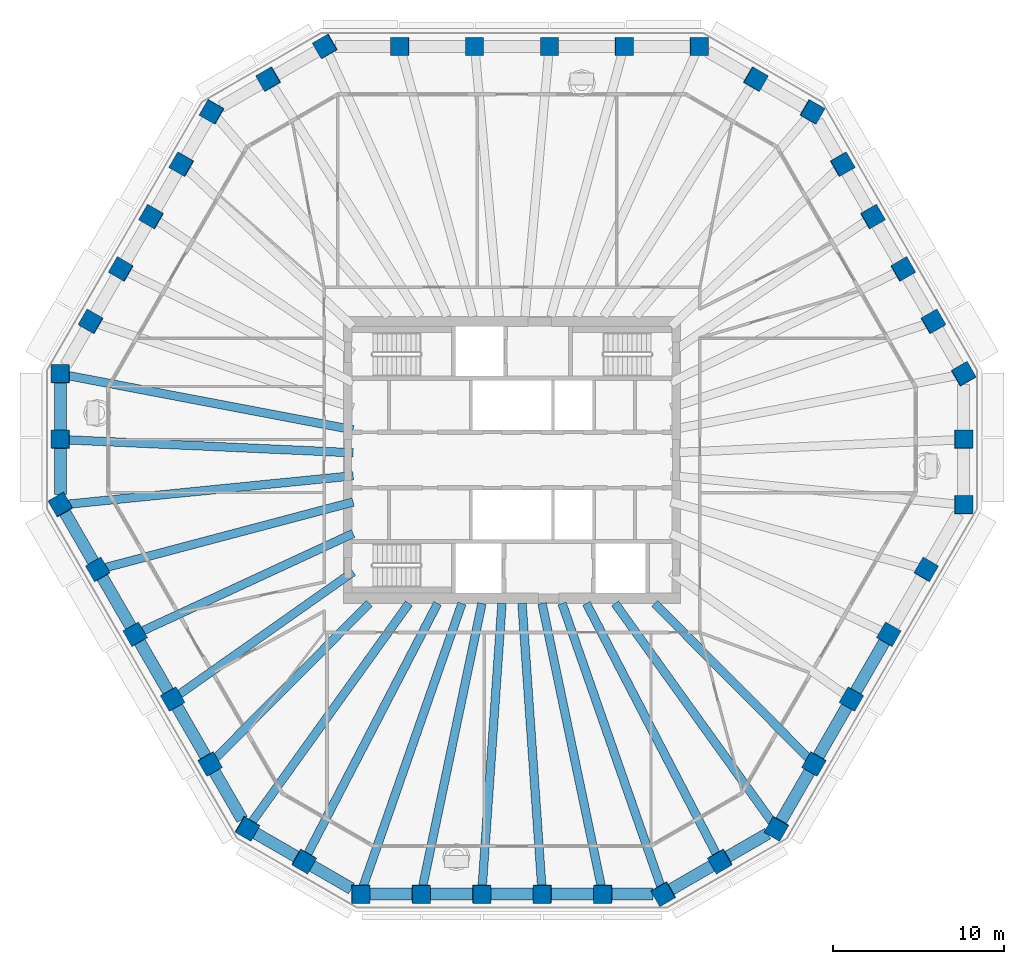
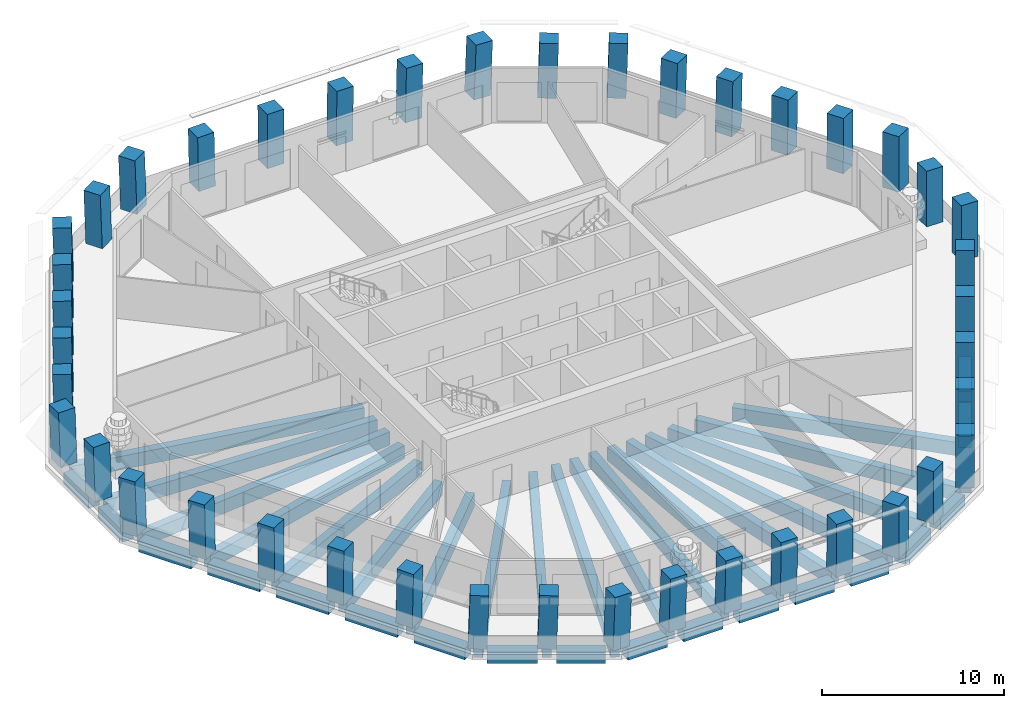
# One storey, part 1 of 12: 42 columns, 37 beams.
"""IFC4 building model written with IfcOpenShell, lengths in metres."""

from ifc_helpers import new_model, si_unit, direction, frame, origin, origin_2d, place, context, subcontext, project, spatial, rectangle, extrude, material, material_profile, profile_set, type_object, element, save


model = new_model("IFC4")

# Units and contexts
model_context = context("Model", 3, precision=1e-05, world=origin(), true_north=direction((0.0, 1.0)))
body_context = subcontext(model_context, "Body", "Model", "MODEL_VIEW")
ifc_project = project(units=[si_unit("LENGTHUNIT", "METRE"), si_unit("AREAUNIT", "SQUARE_METRE"), si_unit("VOLUMEUNIT", "CUBIC_METRE"), si_unit("PLANEANGLEUNIT", "RADIAN"), si_unit("MASSUNIT", "GRAM", prefix="KILO")], contexts=[model_context])

# Site, building, storey
site_placement = place(None, origin())
site = spatial("IfcSite", under=ifc_project, at=site_placement, CompositionType="ELEMENT")
building_placement = place(site_placement, origin())
building = spatial("IfcBuilding", under=site, at=building_placement, Name="Frailejon Research Tower", CompositionType="ELEMENT")
storey_placement = place(building_placement, frame((0.0, 0.0, 249.39990234375)))
storey = spatial("IfcBuildingStorey", under=building, at=storey_placement, Name="L54", CompositionType="ELEMENT", Elevation=249.39990234375)

# Columns
ifc_material_1 = material(Name="Concrete C60/75", Category="concrete")
ifc_material_profile_1 = material_profile(ifc_material_1, rectangle(XDim=1.050048828125, YDim=1.050048828125, at=origin_2d()), Name="Column 1050")
ifc_profile_set_1 = profile_set([ifc_material_profile_1], Name="Concrete C60/75")
column_type = type_object("IfcColumnType", Name="Column 1050", PredefinedType="COLUMN", material=ifc_profile_set_1)
for number, where, z_axis, x_axis, name in (
    (1, (26.423828125, -2.632568359375, 0.0), (0.018163738703, 0.031434662184, 0.999340753002), (0.000220529976, 0.999505495485, -0.031443852516), "Column C01"),
    (2, (26.423828125, 1.194091796875, 0.0), (0.018163738703, 0.031434662184, 0.999340753002), (0.000220529976, 0.999505495485, -0.031443852516), "Column C02"),
    (3, (26.423828125, 5.02099609375, 0.0), (0.018163776932, 0.031367703336, 0.999342856279), (-0.498924622744, 0.8664557612, -0.018128284606), "Column C03"),
):
    element("IfcColumn", number, at=place(storey_placement, frame(where, z_axis=z_axis, x_axis=x_axis)), inside=storey, type_object=column_type, Name=name, PredefinedType="COLUMN", context=body_context, shape_type="SweptSolid", body=[
        extrude(rectangle(XDim=1.050048828125, YDim=1.050048828125, at=origin_2d()), origin(), (0.0, 0.0, 1.0), 3.642578125),
    ])
column_1_placement = place(storey_placement, frame((24.651123046875, 8.09130859375, 0.0), z_axis=(0.02178538891, 0.025136987204, 0.999446611233), x_axis=(-0.499840729882, 0.866048916273, -0.010886660388)))
element("IfcColumn", 4, at=column_1_placement, inside=storey, type_object=column_type, Name="Column C04", PredefinedType="COLUMN", context=body_context, shape_type="SweptSolid", body=[
    extrude(rectangle(XDim=1.050048828125, YDim=1.050048828125, at=origin_2d()), origin(), (0.0, 0.0, 1.0), 3.64208984375),
])
for number, where, z_axis, x_axis, name in (
    (5, (22.87841796875, 11.161865234375, 0.0), (0.025406464913, 0.018836983221, 0.999499714659), (-0.499703706338, 0.866188826656, -0.003622491991), "Column C05"),
    (6, (21.105712890625, 14.232421875, 0.0), (0.029026392788, 0.012535647694, 0.999500038048), (-0.498893574272, 0.866655702018, 0.003618799556), "Column C06"),
):
    element("IfcColumn", number, at=place(storey_placement, frame(where, z_axis=z_axis, x_axis=x_axis)), inside=storey, type_object=column_type, Name=name, PredefinedType="COLUMN", context=body_context, shape_type="SweptSolid", body=[
        extrude(rectangle(XDim=1.050048828125, YDim=1.050048828125, at=origin_2d()), origin(), (0.0, 0.0, 1.0), 3.641845703125),
    ])
column_2_placement = place(storey_placement, frame((19.3330078125, 17.302734375, 0.0), z_axis=(0.032644585351, 0.006301008261, 0.999447161356), x_axis=(-0.500488549113, 0.865674666366, 0.010889638148)))
element("IfcColumn", 7, at=column_2_placement, inside=storey, type_object=column_type, Name="Column C07", PredefinedType="COLUMN", context=body_context, shape_type="SweptSolid", body=[
    extrude(rectangle(XDim=1.050048828125, YDim=1.050048828125, at=origin_2d()), origin(), (0.0, 0.0, 1.0), 3.64208984375),
])
for number, where, z_axis, x_axis, name in (
    (8, (17.560302734375, 20.373291015625, 0.0), (0.036193574171, 0.0, 0.999344797949), (-0.865315796008, 0.500246354177, 0.031339405087), "Column C08"),
    (9, (14.24609375, 22.28662109375, 0.0), (0.036260511264, 0.0, 0.999342371424), (-0.865313694921, 0.500246354177, 0.031397364786), "Column C09"),
    (10, (10.93212890625, 24.199951171875, 0.0), (0.036260511264, 0.0, 0.999342371424), (-0.999342371424, 0.0, 0.036260511264), "Column C10"),
):
    element("IfcColumn", number, at=place(storey_placement, frame(where, z_axis=z_axis, x_axis=x_axis)), inside=storey, type_object=column_type, Name=name, PredefinedType="COLUMN", context=body_context, shape_type="SweptSolid", body=[
        extrude(rectangle(XDim=1.050048828125, YDim=1.050048828125, at=origin_2d()), origin(), (0.0, 0.0, 1.0), 3.642578125),
    ])
column_3_placement = place(storey_placement, frame((6.559326171875, 24.199951171875, 0.0), z_axis=(0.02179227492, 0.0, 0.999762520179), x_axis=(-0.999762520179, 0.0, 0.02179227492)))
element("IfcColumn", 11, at=column_3_placement, inside=storey, type_object=column_type, Name="Column C11", PredefinedType="COLUMN", context=body_context, shape_type="SweptSolid", body=[
    extrude(rectangle(XDim=1.050048828125, YDim=1.050048828125, at=origin_2d()), origin(), (0.0, 0.0, 1.0), 3.64111328125),
])
for number, where, z_axis, x_axis, name in (
    (12, (2.186279296875, 24.199951171875, 0.0), (0.007290288501, 0.0, 0.999973425494), (-0.999973425494, 0.0, 0.007290288501), "Column C12"),
    (13, (-2.186279296875, 24.199951171875, 0.0), (-0.007290288501, 0.0, 0.999973425494), (-0.999973425494, 0.0, -0.007290288501), "Column C13"),
):
    element("IfcColumn", number, at=place(storey_placement, frame(where, z_axis=z_axis, x_axis=x_axis)), inside=storey, type_object=column_type, Name=name, PredefinedType="COLUMN", context=body_context, shape_type="SweptSolid", body=[
        extrude(rectangle(XDim=1.050048828125, YDim=1.050048828125, at=origin_2d()), origin(), (0.0, 0.0, 1.0), 3.650146484375),
    ])
column_4_placement = place(storey_placement, frame((-6.559326171875, 24.199951171875, 0.0), z_axis=(-0.02179227492, 0.0, 0.999762520179), x_axis=(-0.999762520179, 0.0, -0.02179227492)))
element("IfcColumn", 14, at=column_4_placement, inside=storey, type_object=column_type, Name="Column C14", PredefinedType="COLUMN", context=body_context, shape_type="SweptSolid", body=[
    extrude(rectangle(XDim=1.050048828125, YDim=1.050048828125, at=origin_2d()), origin(), (0.0, 0.0, 1.0), 3.64111328125),
])
for number, where, z_axis, x_axis, name in (
    (15, (-10.93212890625, 24.199951171875, 0.0), (-0.036260511264, 0.0, 0.999342371424), (-0.865313694921, -0.500246354177, -0.031397364786), "Column C15"),
    (16, (-14.24609375, 22.28662109375, 0.0), (-0.036260511264, 0.0, 0.999342371424), (-0.865313694921, -0.500246354177, -0.031397364786), "Column C16"),
    (17, (-17.560302734375, 20.373291015625, 0.0), (-0.036193574171, 0.0, 0.999344797949), (-0.499426165769, -0.866167613071, -0.018087869183), "Column C17"),
):
    element("IfcColumn", number, at=place(storey_placement, frame(where, z_axis=z_axis, x_axis=x_axis)), inside=storey, type_object=column_type, Name=name, PredefinedType="COLUMN", context=body_context, shape_type="SweptSolid", body=[
        extrude(rectangle(XDim=1.050048828125, YDim=1.050048828125, at=origin_2d()), origin(), (0.0, 0.0, 1.0), 3.642578125),
    ])
column_5_placement = place(storey_placement, frame((-19.3330078125, 17.302734375, 0.0), z_axis=(-0.032644585351, 0.006301008261, 0.999447161356), x_axis=(-0.500488549113, -0.865674666366, -0.010889638148)))
element("IfcColumn", 18, at=column_5_placement, inside=storey, type_object=column_type, Name="Column C18", PredefinedType="COLUMN", context=body_context, shape_type="SweptSolid", body=[
    extrude(rectangle(XDim=1.050048828125, YDim=1.050048828125, at=origin_2d()), origin(), (0.0, 0.0, 1.0), 3.64208984375),
])
for number, where, z_axis, x_axis, name in (
    (19, (-21.105712890625, 14.232421875, 0.0), (-0.029026392788, 0.012535647694, 0.999500038048), (-0.498893574272, -0.866655702018, -0.003618799556), "Column C19"),
    (20, (-22.87841796875, 11.161865234375, 0.0), (-0.025406464913, 0.018836983221, 0.999499714659), (-0.499703706338, -0.866188826656, 0.003622491991), "Column C20"),
):
    element("IfcColumn", number, at=place(storey_placement, frame(where, z_axis=z_axis, x_axis=x_axis)), inside=storey, type_object=column_type, Name=name, PredefinedType="COLUMN", context=body_context, shape_type="SweptSolid", body=[
        extrude(rectangle(XDim=1.050048828125, YDim=1.050048828125, at=origin_2d()), origin(), (0.0, 0.0, 1.0), 3.641845703125),
    ])
column_6_placement = place(storey_placement, frame((-24.651123046875, 8.09130859375, 0.0), z_axis=(-0.02178538891, 0.025136987204, 0.999446611233), x_axis=(-0.499840729882, -0.866048916273, 0.010886660388)))
element("IfcColumn", 21, at=column_6_placement, inside=storey, type_object=column_type, Name="Column C21", PredefinedType="COLUMN", context=body_context, shape_type="SweptSolid", body=[
    extrude(rectangle(XDim=1.050048828125, YDim=1.050048828125, at=origin_2d()), origin(), (0.0, 0.0, 1.0), 3.64208984375),
])
for number, where, z_axis, x_axis, name in (
    (22, (-26.423828125, 5.02099609375, 0.0), (-0.018163776932, 0.031367703336, 0.999342856279), (0.001146111075, -0.999506440176, 0.031393669356), "Column C22"),
    (23, (-26.423828125, 1.194091796875, 0.0), (-0.018163738703, 0.031434662184, 0.999340753002), (0.000220529976, -0.999505495485, 0.031443852516), "Column C23"),
    (24, (-26.423828125, -2.632568359375, 0.0), (-0.018163738703, 0.031434662184, 0.999340753002), (0.500356278206, -0.865058111181, 0.036305084208), "Column C24"),
):
    element("IfcColumn", number, at=place(storey_placement, frame(where, z_axis=z_axis, x_axis=x_axis)), inside=storey, type_object=column_type, Name=name, PredefinedType="COLUMN", context=body_context, shape_type="SweptSolid", body=[
        extrude(rectangle(XDim=1.050048828125, YDim=1.050048828125, at=origin_2d()), origin(), (0.0, 0.0, 1.0), 3.642578125),
    ])
column_7_placement = place(storey_placement, frame((-24.2373046875, -6.41943359375, 0.0), z_axis=(-0.010929666371, 0.018841940186, 0.999762733694), x_axis=(0.5010622412, -0.865137072574, 0.021782472348)))
element("IfcColumn", 25, at=column_7_placement, inside=storey, type_object=column_type, Name="Column C25", PredefinedType="COLUMN", context=body_context, shape_type="SweptSolid", body=[
    extrude(rectangle(XDim=1.050048828125, YDim=1.050048828125, at=origin_2d()), origin(), (0.0, 0.0, 1.0), 3.64111328125),
])
for number, where, z_axis, x_axis, name in (
    (26, (-22.051025390625, -10.20654296875, 0.0), (-0.003611703602, 0.006287039604, 0.99997371402), (0.497890396548, -0.867209652713, 0.007250604559), "Column C26"),
    (27, (-19.864501953125, -13.993408203125, 0.0), (0.003611703602, -0.006287039604, 0.99997371402), (0.497890396548, -0.867209652713, -0.007250604559), "Column C27"),
):
    element("IfcColumn", number, at=place(storey_placement, frame(where, z_axis=z_axis, x_axis=x_axis)), inside=storey, type_object=column_type, Name=name, PredefinedType="COLUMN", context=body_context, shape_type="SweptSolid", body=[
        extrude(rectangle(XDim=1.050048828125, YDim=1.050048828125, at=origin_2d()), origin(), (0.0, 0.0, 1.0), 3.650146484375),
    ])
column_8_placement = place(storey_placement, frame((-17.67822265625, -17.780517578125, 0.0), z_axis=(0.010929666371, -0.018841940186, 0.999762733694), x_axis=(0.5010622412, -0.865137072574, -0.021782472348)))
element("IfcColumn", 28, at=column_8_placement, inside=storey, type_object=column_type, Name="Column C28", PredefinedType="COLUMN", context=body_context, shape_type="SweptSolid", body=[
    extrude(rectangle(XDim=1.050048828125, YDim=1.050048828125, at=origin_2d()), origin(), (0.0, 0.0, 1.0), 3.64111328125),
])
for number, where, z_axis, x_axis, name in (
    (29, (-15.49169921875, -21.5673828125, 0.0), (0.018096735828, -0.031434700382, 0.999341967379), (0.865180582386, -0.500475750546, -0.031409918461), "Column C29"),
    (30, (-12.177734375, -23.480712890625, 0.0), (0.018096735828, -0.031434700382, 0.999341967379), (0.865479556299, -0.499959233414, -0.031399085223), "Column C30"),
    (31, (-8.86376953125, -25.394287109375, 0.0), (0.018163776932, -0.031367703336, 0.999342856279), (0.999834397764, 0.001689418505, -0.018119683027), "Column C31"),
):
    element("IfcColumn", number, at=place(storey_placement, frame(where, z_axis=z_axis, x_axis=x_axis)), inside=storey, type_object=column_type, Name=name, PredefinedType="COLUMN", context=body_context, shape_type="SweptSolid", body=[
        extrude(rectangle(XDim=1.050048828125, YDim=1.050048828125, at=origin_2d()), origin(), (0.0, 0.0, 1.0), 3.642578125),
    ])
column_9_placement = place(storey_placement, frame((-5.318115234375, -25.394287109375, 0.0), z_axis=(0.01085920243, -0.031371029242, 0.999448816222), x_axis=(0.999941033716, 0.000423187754, -0.01085126731)))
element("IfcColumn", 32, at=column_9_placement, inside=storey, type_object=column_type, Name="Column C32", PredefinedType="COLUMN", context=body_context, shape_type="SweptSolid", body=[
    extrude(rectangle(XDim=1.050048828125, YDim=1.050048828125, at=origin_2d()), origin(), (0.0, 0.0, 1.0), 3.64208984375),
])
for number, where, z_axis, x_axis, name in (
    (33, (-1.772705078125, -25.394287109375, 0.0), (0.003619923868, -0.031372673523, 0.999501201354), (0.999993447619, 0.000143055542, -0.003617216377), "Column C33"),
    (34, (1.772705078125, -25.394287109375, 0.0), (-0.003619923868, -0.031372673523, 0.999501201354), (0.999993447619, -0.000143055542, 0.003617216377), "Column C34"),
):
    element("IfcColumn", number, at=place(storey_placement, frame(where, z_axis=z_axis, x_axis=x_axis)), inside=storey, type_object=column_type, Name=name, PredefinedType="COLUMN", context=body_context, shape_type="SweptSolid", body=[
        extrude(rectangle(XDim=1.050048828125, YDim=1.050048828125, at=origin_2d()), origin(), (0.0, 0.0, 1.0), 3.641845703125),
    ])
column_10_placement = place(storey_placement, frame((5.318115234375, -25.394287109375, 0.0), z_axis=(-0.01085920243, -0.031371029242, 0.999448816222), x_axis=(0.999941033716, -0.000423187754, 0.01085126731)))
element("IfcColumn", 35, at=column_10_placement, inside=storey, type_object=column_type, Name="Column C35", PredefinedType="COLUMN", context=body_context, shape_type="SweptSolid", body=[
    extrude(rectangle(XDim=1.050048828125, YDim=1.050048828125, at=origin_2d()), origin(), (0.0, 0.0, 1.0), 3.64208984375),
])
for number, where, z_axis, x_axis, name in (
    (36, (8.86376953125, -25.394287109375, 0.0), (-0.018163776932, -0.031367703336, 0.999342856279), (0.866441955777, 0.498290163031, 0.031388703307), "Column C36"),
    (37, (12.177734375, -23.480712890625, 0.0), (-0.018096735828, -0.031434700382, 0.999341967379), (0.865479556299, 0.499959233414, 0.031399085223), "Column C37"),
    (38, (15.49169921875, -21.5673828125, 0.0), (-0.018096735828, -0.031434700382, 0.999341967379), (0.498453405452, 0.866157358909, 0.036271644588), "Column C38"),
):
    element("IfcColumn", number, at=place(storey_placement, frame(where, z_axis=z_axis, x_axis=x_axis)), inside=storey, type_object=column_type, Name=name, PredefinedType="COLUMN", context=body_context, shape_type="SweptSolid", body=[
        extrude(rectangle(XDim=1.050048828125, YDim=1.050048828125, at=origin_2d()), origin(), (0.0, 0.0, 1.0), 3.642578125),
    ])
column_11_placement = place(storey_placement, frame((17.67822265625, -17.780517578125, 0.0), z_axis=(-0.010929666371, -0.018841940186, 0.999762733694), x_axis=(0.5010622412, 0.865137072574, 0.021782472348)))
element("IfcColumn", 39, at=column_11_placement, inside=storey, type_object=column_type, Name="Column C39", PredefinedType="COLUMN", context=body_context, shape_type="SweptSolid", body=[
    extrude(rectangle(XDim=1.050048828125, YDim=1.050048828125, at=origin_2d()), origin(), (0.0, 0.0, 1.0), 3.64111328125),
])
for number, where, z_axis, x_axis, name in (
    (40, (19.864501953125, -13.993408203125, 0.0), (-0.003611703602, -0.006287039604, 0.99997371402), (0.497890396548, 0.867209652713, 0.007250604559), "Column C40"),
    (41, (22.051025390625, -10.20654296875, 0.0), (0.003611703602, 0.006287039604, 0.99997371402), (0.497890396548, 0.867209652713, -0.007250604559), "Column C41"),
):
    element("IfcColumn", number, at=place(storey_placement, frame(where, z_axis=z_axis, x_axis=x_axis)), inside=storey, type_object=column_type, Name=name, PredefinedType="COLUMN", context=body_context, shape_type="SweptSolid", body=[
        extrude(rectangle(XDim=1.050048828125, YDim=1.050048828125, at=origin_2d()), origin(), (0.0, 0.0, 1.0), 3.650146484375),
    ])
column_12_placement = place(storey_placement, frame((24.2373046875, -6.41943359375, 0.0), z_axis=(0.010929666371, 0.018841940186, 0.999762733694), x_axis=(0.5010622412, 0.865137072574, -0.021782472348)))
element("IfcColumn", 42, at=column_12_placement, inside=storey, type_object=column_type, Name="Column C42", PredefinedType="COLUMN", context=body_context, shape_type="SweptSolid", body=[
    extrude(rectangle(XDim=1.050048828125, YDim=1.050048828125, at=origin_2d()), origin(), (0.0, 0.0, 1.0), 3.64111328125),
])

# Beams
ifc_material_2 = material(Name="Concrete C60/75", Category="concrete")
ifc_material_profile_2 = material_profile(ifc_material_2, rectangle(XDim=0.5, YDim=0.89990234375, at=origin_2d()), Name="Girder 500x900")
ifc_profile_set_2 = profile_set([ifc_material_profile_2], Name="Concrete C60/75")
beam_type_1 = type_object("IfcBeamType", Name="Girder 500x900", PredefinedType="BEAM", material=ifc_profile_set_2)
beam_1_placement = place(storey_placement, frame((-26.04638671875, 4.94921875, -0.75), z_axis=(0.982420958346, -0.186679030966, 0.0), x_axis=(0.186679030966, 0.982420958346, 0.0)))
element("IfcBeam", 43, at=beam_1_placement, inside=storey, type_object=beam_type_1, Name="Girder 500x900", PredefinedType="BEAM", context=body_context, shape_type="SweptSolid", body=[
    extrude(rectangle(XDim=0.5, YDim=0.89990234375, at=origin_2d()), origin(), (0.0, 0.0, 1.0), 17.0458984375),
])
beam_2_placement = place(storey_placement, frame((-26.048583984375, 1.17724609375, -0.75), z_axis=(0.998980574844, -0.045142120959, 0.0), x_axis=(0.045142120959, 0.998980574844, 0.0)))
element("IfcBeam", 44, at=beam_2_placement, inside=storey, type_object=beam_type_1, Name="Girder 500x900", PredefinedType="BEAM", context=body_context, shape_type="SweptSolid", body=[
    extrude(rectangle(XDim=0.5, YDim=0.89990234375, at=origin_2d()), origin(), (0.0, 0.0, 1.0), 16.765625),
])
beam_3_placement = place(storey_placement, frame((-26.0, -2.59033203125, -0.75), z_axis=(0.995073563554, 0.099139311662, 0.0), x_axis=(-0.099139311662, 0.995073563554, 0.0)))
element("IfcBeam", 45, at=beam_3_placement, inside=storey, type_object=beam_type_1, Name="Girder 500x900", PredefinedType="BEAM", context=body_context, shape_type="SweptSolid", body=[
    extrude(rectangle(XDim=0.5, YDim=0.89990234375, at=origin_2d()), origin(), (0.0, 0.0, 1.0), 16.78271484375),
])
beam_4_placement = place(storey_placement, frame((-23.856689453125, -6.318603515625, -0.75), z_axis=(0.966668414812, 0.256031591418, 0.0), x_axis=(-0.256031591418, 0.966668414812, 0.0)))
element("IfcBeam", 46, at=beam_4_placement, inside=storey, type_object=beam_type_1, Name="Girder 500x900", PredefinedType="BEAM", context=body_context, shape_type="SweptSolid", body=[
    extrude(rectangle(XDim=0.5, YDim=0.89990234375, at=origin_2d()), origin(), (0.0, 0.0, 1.0), 15.05859375),
])
beam_5_placement = place(storey_placement, frame((-21.708740234375, -10.048095703125, -0.75), z_axis=(0.907504721421, 0.420041879578, 0.0), x_axis=(-0.420041879578, 0.907504721421, 0.0)))
element("IfcBeam", 47, at=beam_5_placement, inside=storey, type_object=beam_type_1, Name="Girder 500x900", PredefinedType="BEAM", context=body_context, shape_type="SweptSolid", body=[
    extrude(rectangle(XDim=0.5, YDim=0.89990234375, at=origin_2d()), origin(), (0.0, 0.0, 1.0), 13.67333984375),
])
beam_6_placement = place(storey_placement, frame((-19.556396484375, -13.7763671875, -0.75), z_axis=(0.817518664776, 0.575902103437, 0.0), x_axis=(-0.575902103437, 0.817518664776, 0.0)))
element("IfcBeam", 48, at=beam_6_placement, inside=storey, type_object=beam_type_1, Name="Girder 500x900", PredefinedType="BEAM", context=body_context, shape_type="SweptSolid", body=[
    extrude(rectangle(XDim=0.5, YDim=0.89990234375, at=origin_2d()), origin(), (0.0, 0.0, 1.0), 12.545654296875),
])
beam_7_placement = place(storey_placement, frame((-17.400390625, -17.501220703125, -0.75), z_axis=(0.705049312948, 0.709158280155, 0.0), x_axis=(-0.709158280155, 0.705049312948, 0.0)))
element("IfcBeam", 49, at=beam_7_placement, inside=storey, type_object=beam_type_1, Name="Girder 500x900", PredefinedType="BEAM", context=body_context, shape_type="SweptSolid", body=[
    extrude(rectangle(XDim=0.5, YDim=0.89990234375, at=origin_2d()), origin(), (0.0, 0.0, 1.0), 12.833984375),
])
beam_8_placement = place(storey_placement, frame((-15.271484375, -21.2607421875, -0.75), z_axis=(0.583388855488, 0.812192984021, 0.0), x_axis=(-0.812192984021, 0.583388855488, 0.0)))
element("IfcBeam", 50, at=beam_8_placement, inside=storey, type_object=beam_type_1, Name="Girder 500x900", PredefinedType="BEAM", context=body_context, shape_type="SweptSolid", body=[
    extrude(rectangle(XDim=0.5, YDim=0.89990234375, at=origin_2d()), origin(), (0.0, 0.0, 1.0), 15.834716796875),
])
beam_9_placement = place(storey_placement, frame((-12.0048828125, -23.1474609375, -0.75), z_axis=(0.460390943873, 0.887716271564, 0.0), x_axis=(-0.887716271564, 0.460390943873, 0.0)))
element("IfcBeam", 51, at=beam_9_placement, inside=storey, type_object=beam_type_1, Name="Girder 500x900", PredefinedType="BEAM", context=body_context, shape_type="SweptSolid", body=[
    extrude(rectangle(XDim=0.5, YDim=0.89990234375, at=origin_2d()), origin(), (0.0, 0.0, 1.0), 16.613037109375),
])
beam_10_placement = place(storey_placement, frame((-8.72998046875, -25.0107421875, -0.75), z_axis=(0.329555416266, 0.944136233607, 0.0), x_axis=(-0.944136233607, 0.329555416266, 0.0)))
element("IfcBeam", 52, at=beam_10_placement, inside=storey, type_object=beam_type_1, Name="Girder 500x900", PredefinedType="BEAM", context=body_context, shape_type="SweptSolid", body=[
    extrude(rectangle(XDim=0.5, YDim=0.89990234375, at=origin_2d()), origin(), (0.0, 0.0, 1.0), 17.59375),
])
beam_11_placement = place(storey_placement, frame((-5.239013671875, -25.01611328125, -0.75), z_axis=(0.204971770063, 0.978767885393, 0.0), x_axis=(-0.978767885393, 0.204971770063, 0.0)))
element("IfcBeam", 53, at=beam_11_placement, inside=storey, type_object=beam_type_1, Name="Girder 500x900", PredefinedType="BEAM", context=body_context, shape_type="SweptSolid", body=[
    extrude(rectangle(XDim=0.5, YDim=0.89990234375, at=origin_2d()), origin(), (0.0, 0.0, 1.0), 16.9765625),
])
for number, where, z_axis, x_axis, name in (
    (54, (-1.74658203125, -25.018798828125, -0.75), (0.069639979499, 0.997572189496, 0.0), (-0.997572189496, 0.069639979499, 0.0), "Girder 500x900"),
    (55, (1.74658203125, -25.018798828125, -0.75), (-0.069639979499, 0.997572189496, 0.0), (-0.997572189496, -0.069639979499, 0.0), "Girder 500x900"),
):
    element("IfcBeam", number, at=place(storey_placement, frame(where, z_axis=z_axis, x_axis=x_axis)), inside=storey, type_object=beam_type_1, Name=name, PredefinedType="BEAM", context=body_context, shape_type="SweptSolid", body=[
        extrude(rectangle(XDim=0.5, YDim=0.89990234375, at=origin_2d()), origin(), (0.0, 0.0, 1.0), 16.659423828125),
    ])
beam_12_placement = place(storey_placement, frame((5.239013671875, -25.01611328125, -0.75), z_axis=(-0.204971770063, 0.978767885393, 0.0), x_axis=(-0.978767885393, -0.204971770063, 0.0)))
element("IfcBeam", 56, at=beam_12_placement, inside=storey, type_object=beam_type_1, Name="Girder 500x900", PredefinedType="BEAM", context=body_context, shape_type="SweptSolid", body=[
    extrude(rectangle(XDim=0.5, YDim=0.89990234375, at=origin_2d()), origin(), (0.0, 0.0, 1.0), 16.9765625),
])
beam_13_placement = place(storey_placement, frame((8.737060546875, -25.03125, -0.75), z_axis=(-0.329551455298, 0.944137616193, 0.0), x_axis=(-0.944137616193, -0.329551455298, 0.0)))
element("IfcBeam", 57, at=beam_13_placement, inside=storey, type_object=beam_type_1, Name="Girder 500x900", PredefinedType="BEAM", context=body_context, shape_type="SweptSolid", body=[
    extrude(rectangle(XDim=0.5, YDim=0.89990234375, at=origin_2d()), origin(), (0.0, 0.0, 1.0), 17.615478515625),
])
beam_14_placement = place(storey_placement, frame((12.0048828125, -23.1474609375, -0.75), z_axis=(-0.460390943873, 0.887716271564, 0.0), x_axis=(-0.887716271564, -0.460390943873, 0.0)))
element("IfcBeam", 58, at=beam_14_placement, inside=storey, type_object=beam_type_1, Name="Girder 500x900", PredefinedType="BEAM", context=body_context, shape_type="SweptSolid", body=[
    extrude(rectangle(XDim=0.5, YDim=0.89990234375, at=origin_2d()), origin(), (0.0, 0.0, 1.0), 16.613037109375),
])
beam_15_placement = place(storey_placement, frame((15.2431640625, -21.221435546875, -0.75), z_axis=(-0.583385228147, 0.812195589486, 0.0), x_axis=(-0.812195589486, -0.583385228147, 0.0)))
element("IfcBeam", 59, at=beam_15_placement, inside=storey, type_object=beam_type_1, Name="Girder 500x900", PredefinedType="BEAM", context=body_context, shape_type="SweptSolid", body=[
    extrude(rectangle(XDim=0.5, YDim=0.89990234375, at=origin_2d()), origin(), (0.0, 0.0, 1.0), 15.786376953125),
])
beam_16_placement = place(storey_placement, frame((17.400390625, -17.501220703125, -0.75), z_axis=(-0.705049312948, 0.709158280155, 0.0), x_axis=(-0.709158280155, -0.705049312948, 0.0)))
element("IfcBeam", 60, at=beam_16_placement, inside=storey, type_object=beam_type_1, Name="Girder 500x900", PredefinedType="BEAM", context=body_context, shape_type="SweptSolid", body=[
    extrude(rectangle(XDim=0.5, YDim=0.89990234375, at=origin_2d()), origin(), (0.0, 0.0, 1.0), 12.833984375),
])
ifc_material_3 = material(Name="Concrete C60/75", Category="concrete")
ifc_material_profile_3 = material_profile(ifc_material_3, rectangle(XDim=0.699951171875, YDim=0.75, at=origin_2d()), Name="Spandrel 700x750")
ifc_profile_set_3 = profile_set([ifc_material_profile_3], Name="Concrete C60/75")
beam_type_2 = type_object("IfcBeamType", Name="Spandrel 700x750", PredefinedType="BEAM", material=ifc_profile_set_3)
beam_17_placement = place(storey_placement, frame((-26.423828125, 4.495849609375, -0.724853515625), z_axis=(0.0, -1.0, 0.0), x_axis=(1.0, 0.0, 0.0)))
element("IfcBeam", 61, at=beam_17_placement, inside=storey, type_object=beam_type_2, Name="Spandrel 700x750", PredefinedType="BEAM", context=body_context, shape_type="SweptSolid", body=[
    extrude(rectangle(XDim=0.699951171875, YDim=0.75, at=origin_2d()), origin(), (0.0, 0.0, 1.0), 2.776611328125),
])
beam_18_placement = place(storey_placement, frame((-26.423828125, 0.669189453125, -0.724853515625), z_axis=(0.0, -1.0, 0.0), x_axis=(1.0, 0.0, 0.0)))
element("IfcBeam", 62, at=beam_18_placement, inside=storey, type_object=beam_type_2, Name="Spandrel 700x750", PredefinedType="BEAM", context=body_context, shape_type="SweptSolid", body=[
    extrude(rectangle(XDim=0.699951171875, YDim=0.75, at=origin_2d()), origin(), (0.0, 0.0, 1.0), 2.695556640625),
])
beam_19_placement = place(storey_placement, frame((-26.161376953125, -3.087158203125, -0.724853515625), z_axis=(0.49998745675, -0.866032645512, 0.0), x_axis=(0.866032645512, 0.49998745675, 0.0)))
element("IfcBeam", 63, at=beam_19_placement, inside=storey, type_object=beam_type_2, Name="Spandrel 700x750", PredefinedType="BEAM", context=body_context, shape_type="SweptSolid", body=[
    extrude(rectangle(XDim=0.699951171875, YDim=0.75, at=origin_2d()), origin(), (0.0, 0.0, 1.0), 3.32275390625),
])
beam_20_placement = place(storey_placement, frame((-23.974853515625, -6.874267578125, -0.724853515625), z_axis=(0.500019272882, -0.866014276295, 0.0), x_axis=(0.866014276295, 0.500019272882, 0.0)))
element("IfcBeam", 64, at=beam_20_placement, inside=storey, type_object=beam_type_2, Name="Spandrel 700x750", PredefinedType="BEAM", context=body_context, shape_type="SweptSolid", body=[
    extrude(rectangle(XDim=0.699951171875, YDim=0.75, at=origin_2d()), origin(), (0.0, 0.0, 1.0), 3.322509765625),
])
beam_21_placement = place(storey_placement, frame((-21.78857421875, -10.6611328125, -0.724853515625), z_axis=(0.49998745675, -0.866032645512, 0.0), x_axis=(0.866032645512, 0.49998745675, 0.0)))
element("IfcBeam", 65, at=beam_21_placement, inside=storey, type_object=beam_type_2, Name="Spandrel 700x750", PredefinedType="BEAM", context=body_context, shape_type="SweptSolid", body=[
    extrude(rectangle(XDim=0.699951171875, YDim=0.75, at=origin_2d()), origin(), (0.0, 0.0, 1.0), 3.32275390625),
])
beam_22_placement = place(storey_placement, frame((-19.60205078125, -14.4482421875, -0.724853515625), z_axis=(0.500019272882, -0.866014276295, 0.0), x_axis=(0.866014276295, 0.500019272882, 0.0)))
element("IfcBeam", 66, at=beam_22_placement, inside=storey, type_object=beam_type_2, Name="Spandrel 700x750", PredefinedType="BEAM", context=body_context, shape_type="SweptSolid", body=[
    extrude(rectangle(XDim=0.699951171875, YDim=0.75, at=origin_2d()), origin(), (0.0, 0.0, 1.0), 3.322509765625),
])
beam_23_placement = place(storey_placement, frame((-17.415771484375, -18.235107421875, -0.724853515625), z_axis=(0.500002782129, -0.866023797515, 0.0), x_axis=(0.866023797515, 0.500002782129, 0.0)))
element("IfcBeam", 67, at=beam_23_placement, inside=storey, type_object=beam_type_2, Name="Spandrel 700x750", PredefinedType="BEAM", context=body_context, shape_type="SweptSolid", body=[
    extrude(rectangle(XDim=0.699951171875, YDim=0.75, at=origin_2d()), origin(), (0.0, 0.0, 1.0), 3.24169921875),
])
beam_24_placement = place(storey_placement, frame((-15.037109375, -21.830078125, -0.724853515625), z_axis=(0.866059672834, -0.499940639567, 0.0), x_axis=(0.499940639567, 0.866059672834, 0.0)))
element("IfcBeam", 68, at=beam_24_placement, inside=storey, type_object=beam_type_2, Name="Spandrel 700x750", PredefinedType="BEAM", context=body_context, shape_type="SweptSolid", body=[
    extrude(rectangle(XDim=0.699951171875, YDim=0.75, at=origin_2d()), origin(), (0.0, 0.0, 1.0), 2.776611328125),
])
beam_25_placement = place(storey_placement, frame((-11.722900390625, -23.743408203125, -0.724853515625), z_axis=(0.866027204995, -0.499996880198, 0.0), x_axis=(0.499996880198, 0.866027204995, 0.0)))
element("IfcBeam", 69, at=beam_25_placement, inside=storey, type_object=beam_type_2, Name="Spandrel 700x750", PredefinedType="BEAM", context=body_context, shape_type="SweptSolid", body=[
    extrude(rectangle(XDim=0.699951171875, YDim=0.75, at=origin_2d()), origin(), (0.0, 0.0, 1.0), 2.6953125),
])
beam_26_placement = place(storey_placement, frame((-8.338623046875, -25.394287109375, -0.724853515625), z_axis=(1.0, 0.0, 0.0), x_axis=(0.0, 1.0, 0.0)))
element("IfcBeam", 70, at=beam_26_placement, inside=storey, type_object=beam_type_2, Name="Spandrel 700x750", PredefinedType="BEAM", context=body_context, shape_type="SweptSolid", body=[
    extrude(rectangle(XDim=0.699951171875, YDim=0.75, at=origin_2d()), origin(), (0.0, 0.0, 1.0), 2.495361328125),
])
for number, where, z_axis, x_axis, name in (
    (71, (-4.793212890625, -25.394287109375, -0.724853515625), (1.0, 0.0, 0.0), (0.0, 1.0, 0.0), "Spandrel 700x750"),
    (72, (-1.247802734375, -25.394287109375, -0.724853515625), (1.0, 0.0, 0.0), (0.0, 1.0, 0.0), "Spandrel 700x750"),
    (73, (2.297607421875, -25.394287109375, -0.724853515625), (1.0, 0.0, 0.0), (0.0, 1.0, 0.0), "Spandrel 700x750"),
):
    element("IfcBeam", number, at=place(storey_placement, frame(where, z_axis=z_axis, x_axis=x_axis)), inside=storey, type_object=beam_type_2, Name=name, PredefinedType="BEAM", context=body_context, shape_type="SweptSolid", body=[
        extrude(rectangle(XDim=0.699951171875, YDim=0.75, at=origin_2d()), origin(), (0.0, 0.0, 1.0), 2.49560546875),
    ])
beam_27_placement = place(storey_placement, frame((5.84326171875, -25.394287109375, -0.724853515625), z_axis=(1.0, 0.0, 0.0), x_axis=(0.0, 1.0, 0.0)))
element("IfcBeam", 74, at=beam_27_placement, inside=storey, type_object=beam_type_2, Name="Spandrel 700x750", PredefinedType="BEAM", context=body_context, shape_type="SweptSolid", body=[
    extrude(rectangle(XDim=0.699951171875, YDim=0.75, at=origin_2d()), origin(), (0.0, 0.0, 1.0), 2.414306640625),
])
beam_28_placement = place(storey_placement, frame((9.318359375, -25.131591796875, -0.724853515625), z_axis=(0.866037694333, 0.499978711542, 0.0), x_axis=(-0.499978711542, 0.866037694333, 0.0)))
element("IfcBeam", 75, at=beam_28_placement, inside=storey, type_object=beam_type_2, Name="Spandrel 700x750", PredefinedType="BEAM", context=body_context, shape_type="SweptSolid", body=[
    extrude(rectangle(XDim=0.699951171875, YDim=0.75, at=origin_2d()), origin(), (0.0, 0.0, 1.0), 2.7763671875),
])
beam_29_placement = place(storey_placement, frame((12.63232421875, -23.21826171875, -0.724853515625), z_axis=(0.866049846835, 0.499957661005, 0.0), x_axis=(-0.499957661005, 0.866049846835, 0.0)))
element("IfcBeam", 76, at=beam_29_placement, inside=storey, type_object=beam_type_2, Name="Spandrel 700x750", PredefinedType="BEAM", context=body_context, shape_type="SweptSolid", body=[
    extrude(rectangle(XDim=0.699951171875, YDim=0.75, at=origin_2d()), origin(), (0.0, 0.0, 1.0), 2.695556640625),
])
beam_30_placement = place(storey_placement, frame((15.75439453125, -21.11279296875, -0.724853515625), z_axis=(0.49998745675, 0.866032645512, 0.0), x_axis=(-0.866032645512, 0.49998745675, 0.0)))
element("IfcBeam", 77, at=beam_30_placement, inside=storey, type_object=beam_type_2, Name="Spandrel 700x750", PredefinedType="BEAM", context=body_context, shape_type="SweptSolid", body=[
    extrude(rectangle(XDim=0.699951171875, YDim=0.75, at=origin_2d()), origin(), (0.0, 0.0, 1.0), 3.32275390625),
])
beam_31_placement = place(storey_placement, frame((17.940673828125, -17.32568359375, -0.724853515625), z_axis=(0.500019272882, 0.866014276295, 0.0), x_axis=(-0.866014276295, 0.500019272882, 0.0)))
element("IfcBeam", 78, at=beam_31_placement, inside=storey, type_object=beam_type_2, Name="Spandrel 700x750", PredefinedType="BEAM", context=body_context, shape_type="SweptSolid", body=[
    extrude(rectangle(XDim=0.699951171875, YDim=0.75, at=origin_2d()), origin(), (0.0, 0.0, 1.0), 3.322509765625),
])
beam_32_placement = place(storey_placement, frame((20.127197265625, -13.538818359375, -0.724853515625), z_axis=(0.49998745675, 0.866032645512, 0.0), x_axis=(-0.866032645512, 0.49998745675, 0.0)))
element("IfcBeam", 79, at=beam_32_placement, inside=storey, type_object=beam_type_2, Name="Spandrel 700x750", PredefinedType="BEAM", context=body_context, shape_type="SweptSolid", body=[
    extrude(rectangle(XDim=0.699951171875, YDim=0.75, at=origin_2d()), origin(), (0.0, 0.0, 1.0), 3.32275390625),
])

save(model, "model.ifc")
